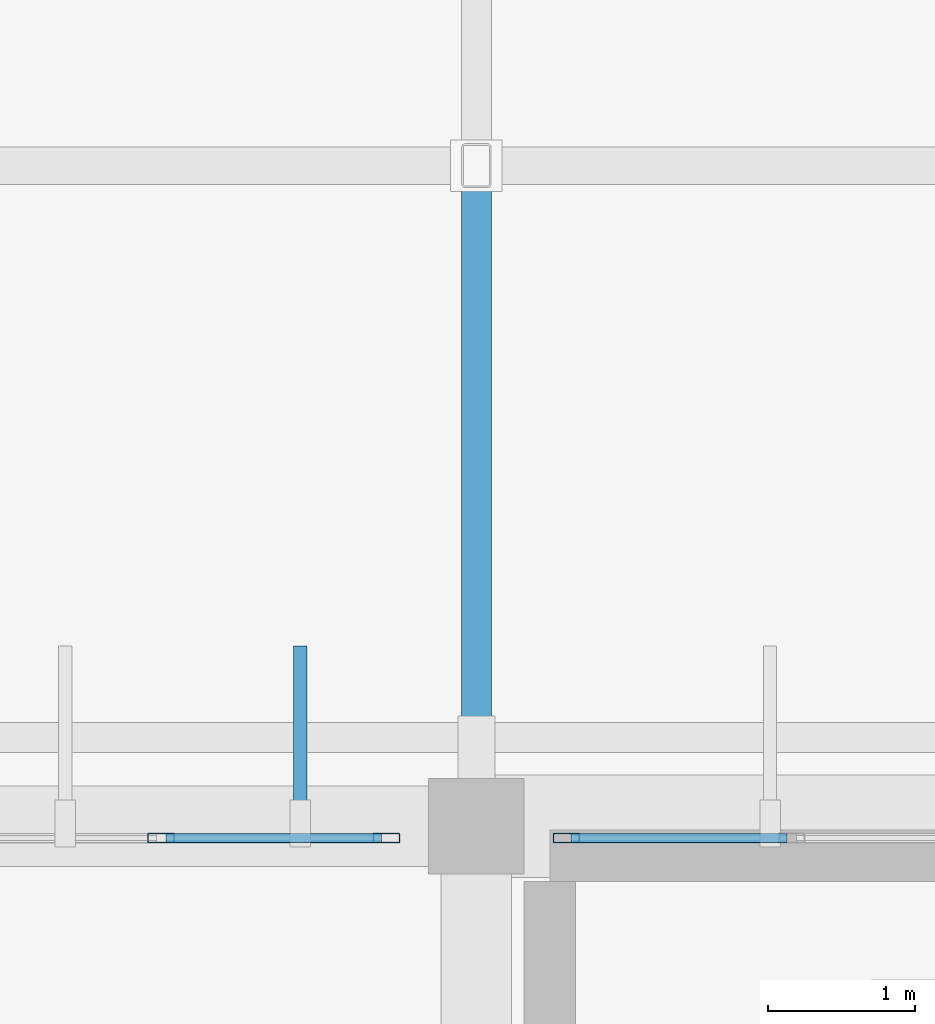
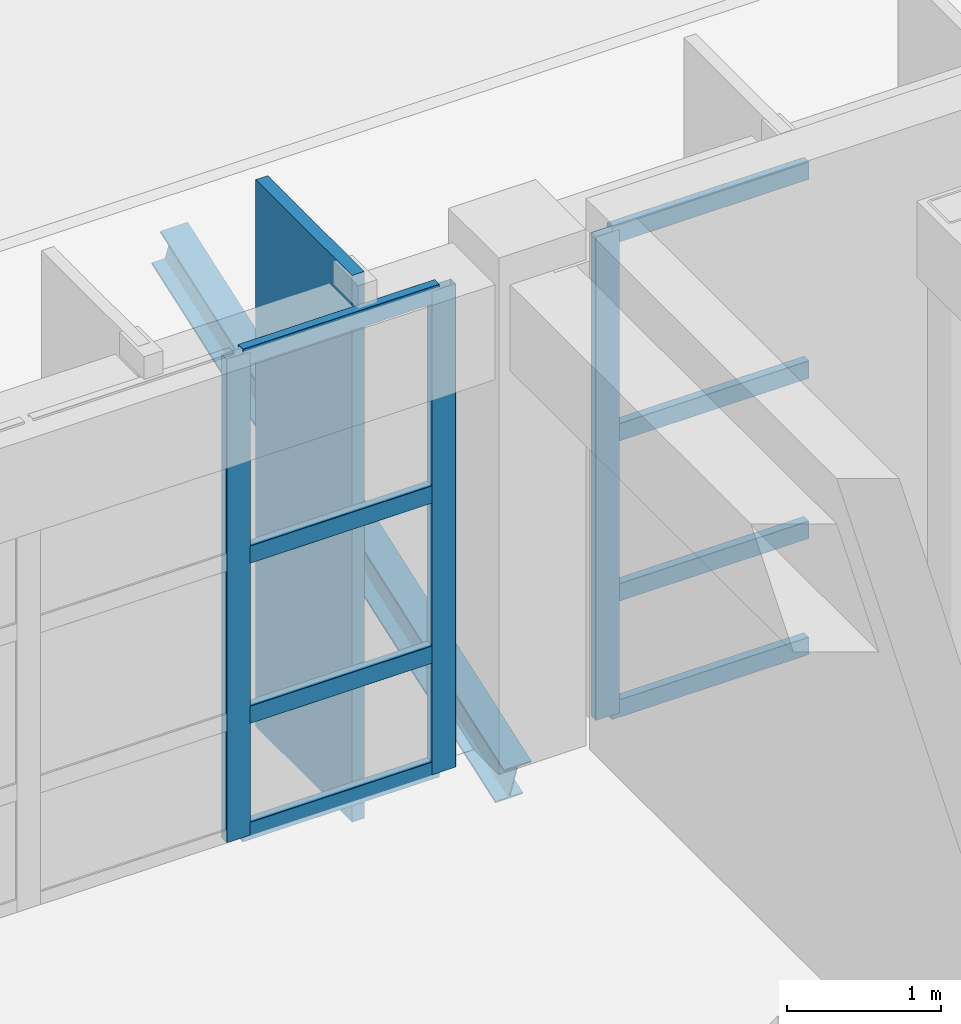
# One storey, part 41 of 80: 13 members, 2 elements without a shape of their own.
"""IFC4 building model written with IfcOpenShell, lengths in metres."""

from ifc_helpers import new_model, si_unit, direction, frame, origin, origin_2d, place, context, subcontext, project, spatial, rectangle, hollow_rectangle, i_section, extrude, material, material_profile, profile_set, type_object, element, aggregate, save


model = new_model("IFC4")

# Units and contexts
model_context = context("Model", 3, precision=1e-05, world=origin(), true_north=direction((0.0, 1.0)))
body_context = subcontext(model_context, "Body", "Model", "MODEL_VIEW")
ifc_project = project(units=[si_unit("LENGTHUNIT", "METRE"), si_unit("AREAUNIT", "SQUARE_METRE"), si_unit("VOLUMEUNIT", "CUBIC_METRE"), si_unit("PLANEANGLEUNIT", "RADIAN"), si_unit("MASSUNIT", "GRAM", prefix="KILO")], contexts=[model_context])

# Site, building, storey
site_placement = place(None, origin())
site = spatial("IfcSite", under=ifc_project, at=site_placement, CompositionType="ELEMENT")
building_placement = place(site_placement, origin())
building = spatial("IfcBuilding", under=site, at=building_placement, Name="Miravela Opera House", CompositionType="ELEMENT")
storey_placement = place(building_placement, frame((0.0, 0.0, 17.679931640625)))
storey = spatial("IfcBuildingStorey", under=building, at=storey_placement, Name="L04", CompositionType="ELEMENT", Elevation=17.679931640625)

# Curtain wall, members
ifc_material_1 = material(Name="Anodised architectural bronze aluminium 6063-T6", Category="aluminium")
curtain_wall_type = type_object("IfcCurtainWallType", Name="ARC-CW-02", PredefinedType="NOTDEFINED", material=ifc_material_1)
curtain_wall_1_placement = place(storey_placement, origin())
curtain_wall_1 = element("IfcCurtainWall", 1, at=curtain_wall_1_placement, inside=storey, type_object=curtain_wall_type, Name="Auditorium North Wrapper Glazing CW-L04-041", PredefinedType="NOTDEFINED")
ifc_material_profile_1 = material_profile(ifc_material_1, hollow_rectangle(XDim=0.06494140625, YDim=0.179931640625, WallThickness=0.00390625, InnerFilletRadius=0.001953125, OuterFilletRadius=0.00390625, at=origin_2d()), Name="CWM-65X180")
ifc_profile_set_1 = profile_set([ifc_material_profile_1])
member_type_1 = type_object("IfcMemberType", Name="ARC-CWM-180", PredefinedType="MULLION", material=ifc_profile_set_1)
member_1_placement = place(storey_placement, frame((42.85205078125, 74.919921875, 0.0), z_axis=(0.0, 0.0, 1.0), x_axis=(0.0, 1.0, 0.0)))
member_1 = element("IfcMember", 2, at=member_1_placement, type_object=member_type_1, Name="CW-02 mullion 5", PredefinedType="MULLION", context=body_context, shape_type="SweptSolid", body=[
    extrude(hollow_rectangle(XDim=0.06494140625, YDim=0.179931640625, WallThickness=0.00390625, InnerFilletRadius=0.001953125, OuterFilletRadius=0.00390625, at=origin_2d()), origin(), (0.0, 0.0, 1.0), 3.820068359375),
])
member_2_placement = place(storey_placement, frame((44.387451171875, 74.919921875, 0.0), z_axis=(0.0, 0.0, 1.0), x_axis=(0.0, 1.0, 0.0)))
member_2 = element("IfcMember", 3, at=member_2_placement, type_object=member_type_1, Name="CW-02 mullion 6", PredefinedType="MULLION", context=body_context, shape_type="SweptSolid", body=[
    extrude(hollow_rectangle(XDim=0.06494140625, YDim=0.179931640625, WallThickness=0.00390625, InnerFilletRadius=0.001953125, OuterFilletRadius=0.00390625, at=origin_2d()), origin(), (0.0, 0.0, 1.0), 3.820068359375),
])

# Curtain wall, member
curtain_wall_2_placement = place(storey_placement, origin())
curtain_wall_2 = element("IfcCurtainWall", 4, at=curtain_wall_2_placement, inside=storey, type_object=curtain_wall_type, Name="Auditorium North Wrapper Glazing CW-L04-043", PredefinedType="NOTDEFINED")
member_3_placement = place(storey_placement, frame((45.612548828125, 74.919921875, 0.0), z_axis=(0.0, 0.0, 1.0), x_axis=(0.0, 1.0, 0.0)))
member_3 = element("IfcMember", 5, at=member_3_placement, type_object=member_type_1, Name="CW-02 mullion 1", PredefinedType="MULLION", context=body_context, shape_type="SweptSolid", body=[
    extrude(hollow_rectangle(XDim=0.06494140625, YDim=0.179931640625, WallThickness=0.00390625, InnerFilletRadius=0.001953125, OuterFilletRadius=0.00390625, at=origin_2d()), origin(), (0.0, 0.0, 1.0), 3.820068359375),
])

# Member
ifc_material_profile_2 = material_profile(ifc_material_1, hollow_rectangle(XDim=0.06494140625, YDim=0.139892578125, WallThickness=0.00390625, InnerFilletRadius=0.001953125, OuterFilletRadius=0.00390625, at=origin_2d()), Name="CWT-65X140")
ifc_profile_set_2 = profile_set([ifc_material_profile_2])
member_type_2 = type_object("IfcMemberType", Name="ARC-CWT-140", PredefinedType="USERDEFINED", material=ifc_profile_set_2)
member_4_placement = place(storey_placement, frame((42.884521484375, 74.919921875, 0.032470703125), z_axis=(1.0, 0.0, 0.0), x_axis=(0.0, 1.0, 0.0)))
member_4 = element("IfcMember", 6, at=member_4_placement, type_object=member_type_2, Name="CW-02 transom 5.1", ObjectType="TRANSOM", PredefinedType="USERDEFINED", context=body_context, shape_type="SweptSolid", body=[
    extrude(hollow_rectangle(XDim=0.06494140625, YDim=0.139892578125, WallThickness=0.00390625, InnerFilletRadius=0.001953125, OuterFilletRadius=0.00390625, at=origin_2d()), origin(), (0.0, 0.0, 1.0), 1.470458984375),
])

member_5_placement = place(storey_placement, frame((42.884521484375, 74.919921875, 0.949951171875), z_axis=(1.0, 0.0, 0.0), x_axis=(0.0, 1.0, 0.0)))
member_5 = element("IfcMember", 7, at=member_5_placement, type_object=member_type_2, Name="CW-02 transom 5.2", ObjectType="TRANSOM", PredefinedType="USERDEFINED", context=body_context, shape_type="SweptSolid", body=[
    extrude(hollow_rectangle(XDim=0.06494140625, YDim=0.139892578125, WallThickness=0.00390625, InnerFilletRadius=0.001953125, OuterFilletRadius=0.00390625, at=origin_2d()), origin(), (0.0, 0.0, 1.0), 1.470458984375),
])

member_6_placement = place(storey_placement, frame((42.884521484375, 74.919921875, 2.215576171875), z_axis=(1.0, 0.0, 0.0), x_axis=(0.0, 1.0, 0.0)))
member_6 = element("IfcMember", 8, at=member_6_placement, type_object=member_type_2, Name="CW-02 transom 5.3", ObjectType="TRANSOM", PredefinedType="USERDEFINED", context=body_context, shape_type="SweptSolid", body=[
    extrude(hollow_rectangle(XDim=0.06494140625, YDim=0.139892578125, WallThickness=0.00390625, InnerFilletRadius=0.001953125, OuterFilletRadius=0.00390625, at=origin_2d()), origin(), (0.0, 0.0, 1.0), 1.470458984375),
])

member_7_placement = place(storey_placement, frame((42.884521484375, 74.919921875, 3.78759765625), z_axis=(1.0, 0.0, 0.0), x_axis=(0.0, 1.0, 0.0)))
member_7 = element("IfcMember", 9, at=member_7_placement, type_object=member_type_2, Name="CW-02 transom 5.4", ObjectType="TRANSOM", PredefinedType="USERDEFINED", context=body_context, shape_type="SweptSolid", body=[
    extrude(hollow_rectangle(XDim=0.06494140625, YDim=0.139892578125, WallThickness=0.00390625, InnerFilletRadius=0.001953125, OuterFilletRadius=0.00390625, at=origin_2d()), origin(), (0.0, 0.0, 1.0), 1.470458984375),
])

aggregate(curtain_wall_1, [member_1, member_2, member_4, member_5, member_6, member_7])

member_8_placement = place(storey_placement, frame((45.64501953125, 74.919921875, 0.032470703125), z_axis=(1.0, 0.0, 0.0), x_axis=(0.0, 1.0, 0.0)))
member_8 = element("IfcMember", 10, at=member_8_placement, type_object=member_type_2, Name="CW-02 transom 1.1", ObjectType="TRANSOM", PredefinedType="USERDEFINED", context=body_context, shape_type="SweptSolid", body=[
    extrude(hollow_rectangle(XDim=0.06494140625, YDim=0.139892578125, WallThickness=0.00390625, InnerFilletRadius=0.001953125, OuterFilletRadius=0.00390625, at=origin_2d()), origin(), (0.0, 0.0, 1.0), 1.470458984375),
])

member_9_placement = place(storey_placement, frame((45.64501953125, 74.919921875, 0.949951171875), z_axis=(1.0, 0.0, 0.0), x_axis=(0.0, 1.0, 0.0)))
member_9 = element("IfcMember", 11, at=member_9_placement, type_object=member_type_2, Name="CW-02 transom 1.2", ObjectType="TRANSOM", PredefinedType="USERDEFINED", context=body_context, shape_type="SweptSolid", body=[
    extrude(hollow_rectangle(XDim=0.06494140625, YDim=0.139892578125, WallThickness=0.00390625, InnerFilletRadius=0.001953125, OuterFilletRadius=0.00390625, at=origin_2d()), origin(), (0.0, 0.0, 1.0), 1.470458984375),
])

member_10_placement = place(storey_placement, frame((45.64501953125, 74.919921875, 2.215576171875), z_axis=(1.0, 0.0, 0.0), x_axis=(0.0, 1.0, 0.0)))
member_10 = element("IfcMember", 12, at=member_10_placement, type_object=member_type_2, Name="CW-02 transom 1.3", ObjectType="TRANSOM", PredefinedType="USERDEFINED", context=body_context, shape_type="SweptSolid", body=[
    extrude(hollow_rectangle(XDim=0.06494140625, YDim=0.139892578125, WallThickness=0.00390625, InnerFilletRadius=0.001953125, OuterFilletRadius=0.00390625, at=origin_2d()), origin(), (0.0, 0.0, 1.0), 1.470458984375),
])

member_11_placement = place(storey_placement, frame((45.64501953125, 74.919921875, 3.78759765625), z_axis=(1.0, 0.0, 0.0), x_axis=(0.0, 1.0, 0.0)))
member_11 = element("IfcMember", 13, at=member_11_placement, type_object=member_type_2, Name="CW-02 transom 1.4", ObjectType="TRANSOM", PredefinedType="USERDEFINED", context=body_context, shape_type="SweptSolid", body=[
    extrude(hollow_rectangle(XDim=0.06494140625, YDim=0.139892578125, WallThickness=0.00390625, InnerFilletRadius=0.001953125, OuterFilletRadius=0.00390625, at=origin_2d()), origin(), (0.0, 0.0, 1.0), 1.470458984375),
])

aggregate(curtain_wall_2, [member_3, member_8, member_9, member_10, member_11])

# Members
ifc_material_profile_3 = material_profile(ifc_material_1, rectangle(XDim=0.090087890625, YDim=1.25, at=origin_2d()), Name="FIN-1250X90")
ifc_profile_set_3 = profile_set([ifc_material_profile_3])
member_type_3 = type_object("IfcMemberType", Name="ARC-FIN-1250", PredefinedType="USERDEFINED", material=ifc_profile_set_3)
member_12_placement = place(storey_placement, frame((43.800048828125, 75.60498046875, -0.239990234375), z_axis=(0.0, 0.0, 1.0), x_axis=(1.0, 0.0, 0.0)))
element("IfcMember", 14, at=member_12_placement, inside=storey, type_object=member_type_3, Name="Auditorium Wrapper Bronze Solar Fin FIN-L04-NORTH-0127", ObjectType="FIN", PredefinedType="USERDEFINED", context=body_context, shape_type="SweptSolid", body=[
    extrude(rectangle(XDim=0.090087890625, YDim=1.25, at=origin_2d()), origin(), (0.0, 0.0, 1.0), 4.320068359375),
])
ifc_material_2 = material(Name="Structural steel ASTM A992 Gr. 50", Category="steel")
ifc_material_profile_4 = material_profile(ifc_material_2, i_section(OverallWidth=0.2041015625, OverallDepth=0.35009765625, WebThickness=0.008544921875, FlangeThickness=0.01513671875, FilletRadius=0.013916015625, at=origin_2d()), Name="W360X72")
ifc_profile_set_4 = profile_set([ifc_material_profile_4])
member_type_4 = type_object("IfcMemberType", Name="STR-MEM-RAFTER-1", PredefinedType="RAFTER", material=ifc_profile_set_4)
member_13_placement = place(storey_placement, frame((45.0, 75.050048828125, -0.39990234375), z_axis=(0.0, 0.943687918104, 0.3308369889), x_axis=(-1.0, 0.0, 0.0)))
element("IfcMember", 15, at=member_13_placement, inside=storey, type_object=member_type_4, Name="Pitched Roof Rafter ROOF-V3-WEST-S S3", PredefinedType="RAFTER", context=body_context, shape_type="SweptSolid", body=[
    extrude(i_section(OverallWidth=0.2041015625, OverallDepth=0.35009765625, WebThickness=0.008544921875, FlangeThickness=0.01513671875, FilletRadius=0.013916015625, at=origin_2d()), origin(), (0.0, 0.0, 1.0), 4.715576171875),
])

save(model, "model.ifc")
